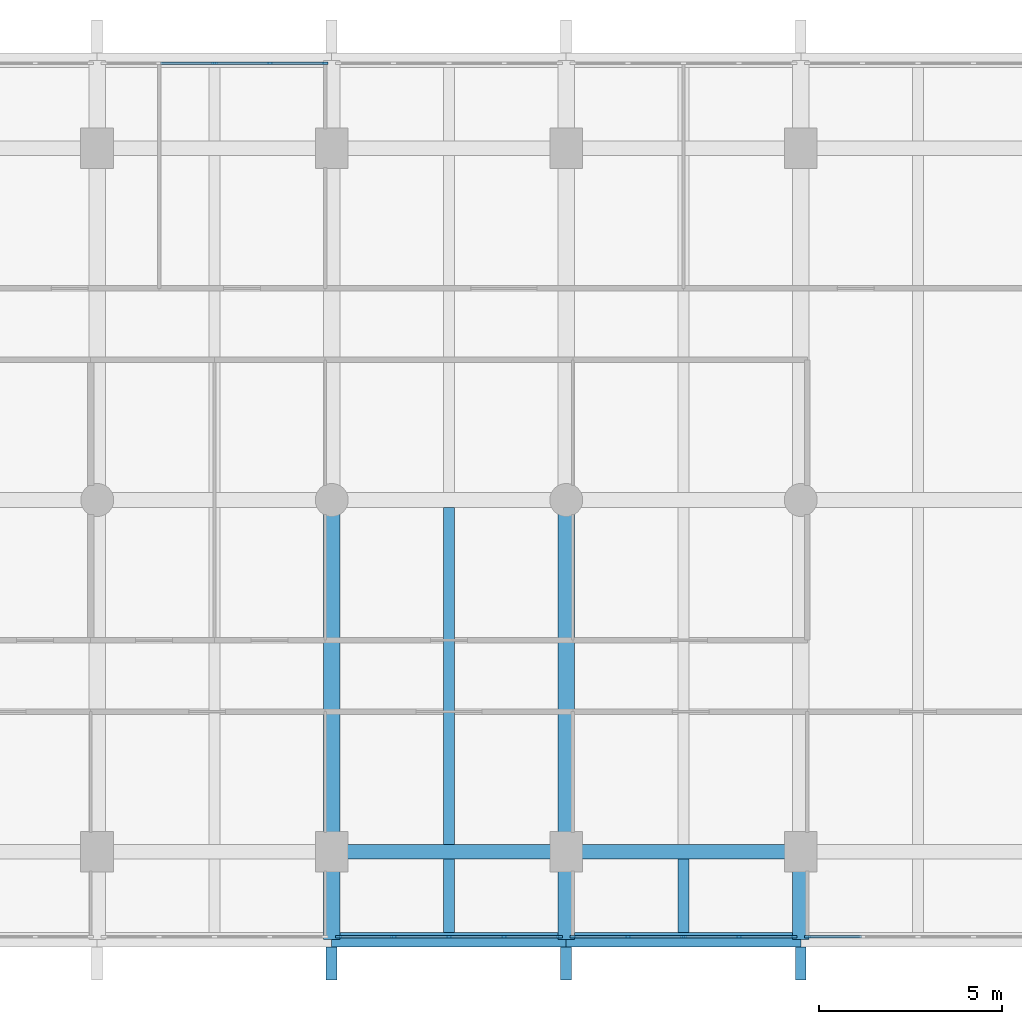
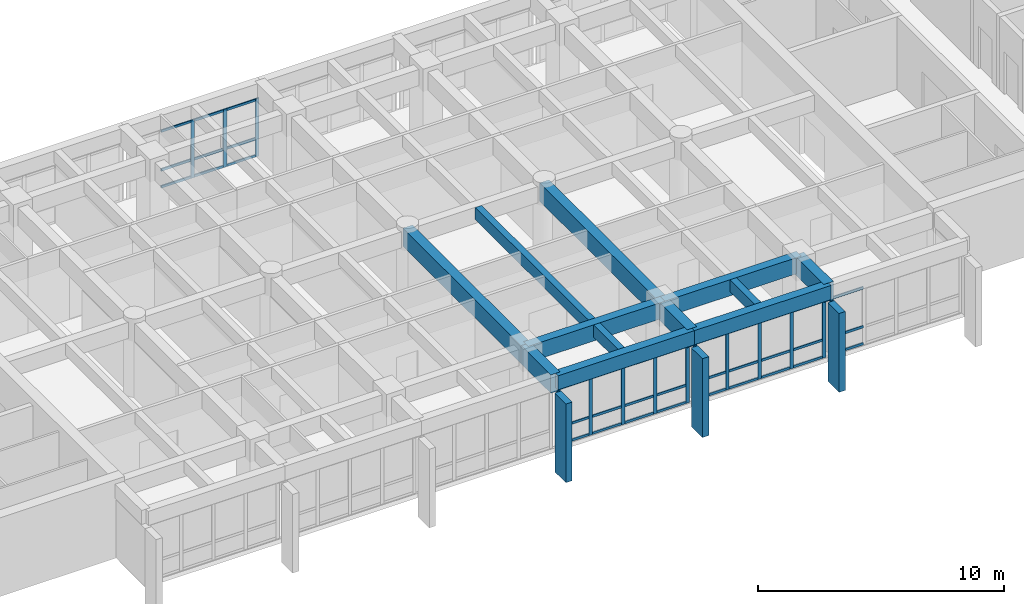
# One storey, part 4 of 15: 53 members, 12 beams, 4 elements without a shape of their own.
"""IFC4 building model written with IfcOpenShell, lengths in metres."""

import ifcopenshell
import ifcopenshell.guid

model = None  # the IFC model being written
_history = None  # IfcOwnerHistory: only IFC2X3 demands one
_inside = {}  # id of a spatial element -> (the spatial element, [elements in it])
_under = {}  # id of a project, library or spatial element -> (it, [spatial elements below it])
_declared = {}  # id of a project -> (the project, [libraries it declares])
_typed = {}  # id of a type object -> (the type object, [elements of that type])
_made_of = {}  # id of a material, layer set ... -> (it, [elements and type objects made of it])


def new_model(schema):
    """Start an empty IFC model of exactly this schema.

    Asked for "IFC4X3", IfcOpenShell would pick the latest addendum, in which some entities
    have other attributes; the version numbers below select the first issue.
    IFC2X3 requires an IfcOwnerHistory on every rooted entity: one is made here for all.
    """
    global model, _history
    if schema == "IFC4X3":
        model = ifcopenshell.file(schema_version=(4, 3, 0, 0))
    else:
        model = ifcopenshell.file(schema=schema)
    _inside.clear()
    _under.clear()
    _declared.clear()
    _typed.clear()
    _made_of.clear()
    _history = None
    if model.schema == "IFC2X3":
        org = make("IfcOrganization", Name="unknown")
        user = make(
            "IfcPersonAndOrganization",
            ThePerson=make("IfcPerson", FamilyName="unknown"),
            TheOrganization=org,
        )
        app = make(
            "IfcApplication",
            ApplicationDeveloper=org,
            Version="unknown",
            ApplicationFullName="unknown",
            ApplicationIdentifier="unknown",
        )
        _history = make(
            "IfcOwnerHistory",
            OwningUser=user,
            OwningApplication=app,
            ChangeAction="ADDED",
            CreationDate=0,
        )
    return model


def make(cls, **values):
    """One entity of the class cls with the attributes given. An attribute that is None is left unset."""
    return model.create_entity(
        cls, **{name: value for name, value in values.items() if value is not None}
    )


def rooted(cls, **values):
    """An entity with a GlobalId (a new one), such as an element, a storey or a relation."""
    return make(cls, GlobalId=ifcopenshell.guid.new(), OwnerHistory=_history, **values)


def si_unit(unit_type, name, prefix=None):
    """IfcSIUnit, for example si_unit("LENGTHUNIT", "METRE", prefix="MILLI")."""
    return make("IfcSIUnit", UnitType=unit_type, Prefix=prefix, Name=name)


def assignment(units):
    """IfcUnitAssignment: the units of a project."""
    return None if units is None else make("IfcUnitAssignment", Units=units)


def point(xyz):
    """IfcCartesianPoint."""
    return None if xyz is None else make("IfcCartesianPoint", Coordinates=xyz)


def direction(xyz):
    """IfcDirection."""
    return None if xyz is None else make("IfcDirection", DirectionRatios=xyz)


def frame(location, z_axis=None, x_axis=None):
    """IfcAxis2Placement3D, a coordinate frame: its origin and axes. An axis left out is left unset."""
    return make(
        "IfcAxis2Placement3D",
        Location=point(location),
        Axis=direction(z_axis),
        RefDirection=direction(x_axis),
    )


def frame_2d(location, x_axis=None):
    """IfcAxis2Placement2D, a coordinate frame in the plane: its origin and x axis."""
    return make(
        "IfcAxis2Placement2D", Location=point(location), RefDirection=direction(x_axis)
    )


def origin():
    """The frame at (0, 0, 0) with its axes left unset."""
    return frame((0.0, 0.0, 0.0))


def origin_2d():
    """The frame at (0, 0) in the plane with its x axis left unset."""
    return frame_2d((0.0, 0.0))


def place(relative_to, where):
    """IfcLocalPlacement: puts the frame where relative to a parent placement (None: the world)."""
    return make(
        "IfcLocalPlacement", PlacementRelTo=relative_to, RelativePlacement=where
    )


def context(
    kind, dimensions, precision=None, world=None, true_north=None, identifier=None
):
    """IfcGeometricRepresentationContext, for example the 3D "Model" context."""
    return make(
        "IfcGeometricRepresentationContext",
        ContextIdentifier=identifier,
        ContextType=kind,
        CoordinateSpaceDimension=dimensions,
        Precision=precision,
        WorldCoordinateSystem=world,
        TrueNorth=true_north,
    )


def subcontext(parent, identifier, kind, view, scale=None):
    """IfcGeometricRepresentationSubContext, for example "Body" below "Model"."""
    return make(
        "IfcGeometricRepresentationSubContext",
        ContextIdentifier=identifier,
        ContextType=kind,
        ParentContext=parent,
        TargetScale=scale,
        TargetView=view,
    )


def project(units=None, contexts=None):
    """IfcProject with its units and contexts."""
    return rooted(
        "IfcProject",
        Name="project",
        RepresentationContexts=contexts,
        UnitsInContext=assignment(units),
    )


def spatial(cls, under=None, at=None, **own):
    """A site, building, storey or space (cls), placed at a placement, below another one or the project."""
    s = rooted(cls, ObjectPlacement=at, **own)
    if under is not None:
        _under.setdefault(under.id(), (under, []))[1].append(s)
    return s


def profile(cls, at=None, kind="AREA", **sizes):
    """A parametric profile (cls). Its sizes go by their IFC names, for example OverallWidth=200.0."""
    return make(cls, ProfileType=kind, Position=at, **sizes)


def rectangle(**sizes):
    """IfcRectangleProfileDef."""
    return profile("IfcRectangleProfileDef", **sizes)


def extrude(swept, where, along, depth):
    """IfcExtrudedAreaSolid: the profile swept, set in the frame where, extruded along a direction by depth."""
    return make(
        "IfcExtrudedAreaSolid",
        SweptArea=swept,
        Position=where,
        ExtrudedDirection=direction(along),
        Depth=depth,
    )


def shape(context_of_items, identifier, shape_type, items):
    """IfcShapeRepresentation: the items that make up one representation, for example the "Body"."""
    return make(
        "IfcShapeRepresentation",
        ContextOfItems=context_of_items,
        RepresentationIdentifier=identifier,
        RepresentationType=shape_type,
        Items=items,
    )


def material(Name=None, Category=None):
    """IfcMaterial."""
    return make("IfcMaterial", Name=Name, Category=Category)


def layer(
    of_material, thickness, ventilated=None, Name=None, Category=None, Priority=None
):
    """IfcMaterialLayer: one layer of a wall or slab, of a material (None: an air gap)."""
    return make(
        "IfcMaterialLayer",
        Material=of_material,
        LayerThickness=thickness,
        IsVentilated=ventilated,
        Name=Name,
        Category=Category,
        Priority=Priority,
    )


def layer_set(layers, Name=None):
    """IfcMaterialLayerSet."""
    return make("IfcMaterialLayerSet", MaterialLayers=layers, LayerSetName=Name)


def material_profile(
    of_material, cross_section, Name=None, Category=None, Priority=None
):
    """IfcMaterialProfile: a cross section and its material."""
    return make(
        "IfcMaterialProfile",
        Name=Name,
        Material=of_material,
        Profile=cross_section,
        Priority=Priority,
        Category=Category,
    )


def profile_set(profiles, Name=None, composite=None):
    """IfcMaterialProfileSet."""
    return make(
        "IfcMaterialProfileSet",
        Name=Name,
        MaterialProfiles=profiles,
        CompositeProfile=composite,
    )


def made_of(thing, what):
    """Note that an element or type object is made of a material, layer set ...; save() writes the relation."""
    if what is not None:
        _made_of.setdefault(what.id(), (what, []))[1].append(thing)
    return thing


def type_object(cls, material=None, **own):
    """A type object (cls), such as IfcWallType, which elements share."""
    return made_of(rooted(cls, **own), material)


def element(
    cls,
    number,
    at=None,
    inside=None,
    cuts=None,
    type_object=None,
    material=None,
    context=None,
    identifier="Body",
    shape_type=None,
    held_by="IfcProductDefinitionShape",
    body=None,
    shapes=None,
    **own,
):
    """One element of the class cls, such as IfcWall. Its Tag is "e" and its number.

    at: its placement. inside: the storey or other place that contains it. cuts: it is an
    opening in that element (IfcRelVoidsElement). A single representation is given by context,
    identifier, shape_type and body (its items); several are given by shapes. held_by: the class
    of the entity that holds the representations. save() writes the other relations.
    """
    e = rooted(cls, Tag="e%d" % number, ObjectPlacement=at, **own)
    if body is not None:
        shapes = [shape(context, identifier, shape_type, body)]
    if shapes is not None:
        e.Representation = make(held_by, Representations=shapes)
    if inside is not None:
        _inside.setdefault(inside.id(), (inside, []))[1].append(e)
    if cuts is not None:
        rooted(
            "IfcRelVoidsElement", RelatingBuildingElement=cuts, RelatedOpeningElement=e
        )
    if type_object is not None:
        _typed.setdefault(type_object.id(), (type_object, []))[1].append(e)
    return made_of(e, material)


def aggregate(whole, parts):
    """IfcRelAggregates: a whole, such as a stair, and the parts it consists of."""
    return rooted("IfcRelAggregates", RelatingObject=whole, RelatedObjects=parts)


def save(model, path):
    """Write the relations noted so far, then the file.

    IfcRelAggregates (storeys below a building ...), IfcRelContainedInSpatialStructure (elements
    in a storey), IfcRelDefinesByType, IfcRelAssociatesMaterial and IfcRelDeclares: one each for
    every whole, place, type object, material and project.
    """
    for whole, parts in _under.values():
        aggregate(whole, parts)
    for where, things in _inside.values():
        rooted(
            "IfcRelContainedInSpatialStructure",
            RelatedElements=things,
            RelatingStructure=where,
        )
    for kind, things in _typed.values():
        rooted("IfcRelDefinesByType", RelatedObjects=things, RelatingType=kind)
    for what, things in _made_of.values():
        rooted("IfcRelAssociatesMaterial", RelatedObjects=things, RelatingMaterial=what)
    for by, libraries in _declared.values():
        rooted("IfcRelDeclares", RelatingContext=by, RelatedDefinitions=libraries)
    model.write(path)


model = new_model("IFC4")

# Units and contexts
model_context = context("Model", 3, precision=1e-05, world=origin(), true_north=direction((0.0, 1.0)))
body_context = subcontext(model_context, "Body", "Model", "MODEL_VIEW")
ifc_project = project(units=[si_unit("LENGTHUNIT", "METRE"), si_unit("AREAUNIT", "SQUARE_METRE"), si_unit("VOLUMEUNIT", "CUBIC_METRE"), si_unit("PLANEANGLEUNIT", "RADIAN"), si_unit("MASSUNIT", "GRAM", prefix="KILO")], contexts=[model_context])

# Site, building, storey
site_placement = place(None, origin())
site = spatial("IfcSite", under=ifc_project, at=site_placement, CompositionType="ELEMENT")
building_placement = place(site_placement, origin())
building = spatial("IfcBuilding", under=site, at=building_placement, Name="Fogon Plaza Fire Station and Headquarters Tower", CompositionType="ELEMENT")
storey_placement = place(building_placement, frame((0.0, 0.0, 48.300048828125)))
storey = spatial("IfcBuildingStorey", under=building, at=storey_placement, Name="L12", CompositionType="ELEMENT", Elevation=48.300048828125)

# Beams
ifc_material_1 = material(Name="Concrete C40", Category="concrete")
ifc_material_profile_1 = material_profile(ifc_material_1, rectangle(XDim=0.39990234375, YDim=0.699951171875, at=origin_2d()), Name="RC 400x700")
ifc_profile_set_1 = profile_set([ifc_material_profile_1], Name="Concrete C40")
beam_type_1 = type_object("IfcBeamType", Name="BEAM RC 400x700", PredefinedType="BEAM", material=ifc_profile_set_1)
beam_1_placement = place(storey_placement, frame((44.800048828125, 31.199951171875, 3.329833984375), z_axis=(1.0, 0.0, 0.0), x_axis=(0.0, 1.0, 0.0)))
element("IfcBeam", 1, at=beam_1_placement, inside=storey, type_object=beam_type_1, Name="beam-L12-042", PredefinedType="BEAM", context=body_context, shape_type="SweptSolid", body=[
    extrude(rectangle(XDim=0.39990234375, YDim=0.699951171875, at=origin_2d()), origin(), (0.0, 0.0, 1.0), 6.39990234375),
])
beam_2_placement = place(storey_placement, frame((51.199951171875, 31.199951171875, 3.329833984375), z_axis=(1.0, 0.0, 0.0), x_axis=(0.0, 1.0, 0.0)))
element("IfcBeam", 2, at=beam_2_placement, inside=storey, type_object=beam_type_1, Name="beam-L12-043", PredefinedType="BEAM", context=body_context, shape_type="SweptSolid", body=[
    extrude(rectangle(XDim=0.39990234375, YDim=0.699951171875, at=origin_2d()), origin(), (0.0, 0.0, 1.0), 6.400146484375),
])
ifc_material_2 = material(Name="Concrete C40", Category="concrete")
ifc_material_profile_2 = material_profile(ifc_material_2, rectangle(XDim=0.39990234375, YDim=0.800048828125, at=origin_2d()), Name="RC 400x800")
ifc_profile_set_2 = profile_set([ifc_material_profile_2], Name="Concrete C40")
beam_type_2 = type_object("IfcBeamType", Name="BEAM RC 400x800", PredefinedType="BEAM", material=ifc_profile_set_2)
beam_3_placement = place(storey_placement, frame((44.800048828125, 33.60009765625, 3.280029296875), z_axis=(1.0, 0.0, 0.0), x_axis=(0.0, 1.0, 0.0)))
element("IfcBeam", 3, at=beam_3_placement, inside=storey, type_object=beam_type_2, Name="beam-L12-024", PredefinedType="BEAM", context=body_context, shape_type="SweptSolid", body=[
    extrude(rectangle(XDim=0.39990234375, YDim=0.800048828125, at=origin_2d()), origin(), (0.0, 0.0, 1.0), 6.39990234375),
])
beam_4_placement = place(storey_placement, frame((51.199951171875, 33.60009765625, 3.280029296875), z_axis=(1.0, 0.0, 0.0), x_axis=(0.0, 1.0, 0.0)))
element("IfcBeam", 4, at=beam_4_placement, inside=storey, type_object=beam_type_2, Name="beam-L12-025", PredefinedType="BEAM", context=body_context, shape_type="SweptSolid", body=[
    extrude(rectangle(XDim=0.39990234375, YDim=0.800048828125, at=origin_2d()), origin(), (0.0, 0.0, 1.0), 6.400146484375),
])
ifc_material_3 = material(Name="Concrete C40", Category="concrete")
ifc_material_profile_3 = material_profile(ifc_material_3, rectangle(XDim=0.449951171875, YDim=0.89990234375, at=origin_2d()), Name="RC 450x900")
ifc_profile_set_3 = profile_set([ifc_material_profile_3], Name="Concrete C40")
beam_type_3 = type_object("IfcBeamType", Name="BEAM RC 450x900", PredefinedType="BEAM", material=ifc_profile_set_3)
for number, where, z_axis, x_axis, name in (
    (5, (44.800048828125, 33.60009765625, 3.22998046875), (0.0, 1.0, 0.0), (-1.0, 0.0, 0.0), "beam-L12-010"),
    (6, (51.199951171875, 33.60009765625, 3.22998046875), (0.0, 1.0, 0.0), (-1.0, 0.0, 0.0), "beam-L12-014"),
):
    element("IfcBeam", number, at=place(storey_placement, frame(where, z_axis=z_axis, x_axis=x_axis)), inside=storey, type_object=beam_type_3, Name=name, PredefinedType="BEAM", context=body_context, shape_type="SweptSolid", body=[
        extrude(rectangle(XDim=0.449951171875, YDim=0.89990234375, at=origin_2d()), origin(), (0.0, 0.0, 1.0), 9.599853515625),
    ])
ifc_material_4 = material(Name="Concrete C40", Category="concrete")
ifc_material_profile_4 = material_profile(ifc_material_4, rectangle(XDim=0.449951171875, YDim=0.89990234375, at=origin_2d()), Name="RC 450x900")
ifc_profile_set_4 = profile_set([ifc_material_profile_4], Name="Concrete C40")
beam_type_4 = type_object("IfcBeamType", Name="BEAM RC 450x900 SPAN 0.0 TO 3.0 M", PredefinedType="BEAM", material=ifc_profile_set_4)
for number, where, z_axis, x_axis, name in (
    (7, (44.800048828125, 31.199951171875, 3.22998046875), (0.0, 1.0, 0.0), (-1.0, 0.0, 0.0), "beam-L12-009"),
    (8, (51.199951171875, 31.199951171875, 3.22998046875), (0.0, 1.0, 0.0), (-1.0, 0.0, 0.0), "beam-L12-013"),
    (9, (57.60009765625, 31.199951171875, 3.22998046875), (0.0, 1.0, 0.0), (-1.0, 0.0, 0.0), "beam-L12-017"),
):
    element("IfcBeam", number, at=place(storey_placement, frame(where, z_axis=z_axis, x_axis=x_axis)), inside=storey, type_object=beam_type_4, Name=name, PredefinedType="BEAM", context=body_context, shape_type="SweptSolid", body=[
        extrude(rectangle(XDim=0.449951171875, YDim=0.89990234375, at=origin_2d()), origin(), (0.0, 0.0, 1.0), 2.400146484375),
    ])

# Curtain wall, members
ifc_material_5 = material(Name="Aluminium and glass", Category="aluminium")
ifc_layer = layer(ifc_material_5, 0.14990234375)
ifc_layer_set = layer_set([ifc_layer], Name="Aluminium and glass")
curtain_wall_type = type_object("IfcCurtainWallType", Name="Unitised Curtain Wall Run 6100x2880", PredefinedType="NOTDEFINED", material=ifc_layer_set)
curtain_wall_1_placement = place(storey_placement, origin())
curtain_wall_1 = element("IfcCurtainWall", 10, at=curtain_wall_1_placement, inside=storey, type_object=curtain_wall_type, Name="CW-6100x2880 S4 L12", PredefinedType="NOTDEFINED")
ifc_material_6 = material(Name="Aluminium", Category="aluminium")
ifc_material_profile_5 = material_profile(ifc_material_6, rectangle(XDim=0.06005859375, YDim=0.159912109375, at=origin_2d()), Name="Curtain Wall Mullion 60x160")
ifc_profile_set_5 = profile_set([ifc_material_profile_5], Name="Aluminium")
member_type_1 = type_object("IfcMemberType", Name="Curtain Wall Mullion 60x160", PredefinedType="MULLION", material=ifc_profile_set_5)
member_1_placement = place(storey_placement, frame((44.97998046875, 31.280029296875, 0.0), z_axis=(0.0, 0.0, 1.0), x_axis=(0.0, 1.0, 0.0)))
member_1 = element("IfcMember", 11, at=member_1_placement, type_object=member_type_1, Name="CW-6100x2880 mullion 1", PredefinedType="MULLION", context=body_context, shape_type="SweptSolid", body=[
    extrude(rectangle(XDim=0.06005859375, YDim=0.159912109375, at=origin_2d()), origin(), (0.0, 0.0, 1.0), 2.8798828125),
])
member_2_placement = place(storey_placement, frame((46.489990234375, 31.280029296875, 0.0), z_axis=(0.0, 0.0, 1.0), x_axis=(0.0, 1.0, 0.0)))
member_2 = element("IfcMember", 12, at=member_2_placement, type_object=member_type_1, Name="CW-6100x2880 mullion 2", PredefinedType="MULLION", context=body_context, shape_type="SweptSolid", body=[
    extrude(rectangle(XDim=0.06005859375, YDim=0.159912109375, at=origin_2d()), origin(), (0.0, 0.0, 1.0), 2.8798828125),
])
member_3_placement = place(storey_placement, frame((48.0, 31.280029296875, 0.0), z_axis=(0.0, 0.0, 1.0), x_axis=(0.0, 1.0, 0.0)))
member_3 = element("IfcMember", 13, at=member_3_placement, type_object=member_type_1, Name="CW-6100x2880 mullion 3", PredefinedType="MULLION", context=body_context, shape_type="SweptSolid", body=[
    extrude(rectangle(XDim=0.06005859375, YDim=0.159912109375, at=origin_2d()), origin(), (0.0, 0.0, 1.0), 2.8798828125),
])
member_4_placement = place(storey_placement, frame((49.510009765625, 31.280029296875, 0.0), z_axis=(0.0, 0.0, 1.0), x_axis=(0.0, 1.0, 0.0)))
member_4 = element("IfcMember", 14, at=member_4_placement, type_object=member_type_1, Name="CW-6100x2880 mullion 4", PredefinedType="MULLION", context=body_context, shape_type="SweptSolid", body=[
    extrude(rectangle(XDim=0.06005859375, YDim=0.159912109375, at=origin_2d()), origin(), (0.0, 0.0, 1.0), 2.8798828125),
])
member_5_placement = place(storey_placement, frame((51.02001953125, 31.280029296875, 0.0), z_axis=(0.0, 0.0, 1.0), x_axis=(0.0, 1.0, 0.0)))
member_5 = element("IfcMember", 15, at=member_5_placement, type_object=member_type_1, Name="CW-6100x2880 mullion 5", PredefinedType="MULLION", context=body_context, shape_type="SweptSolid", body=[
    extrude(rectangle(XDim=0.06005859375, YDim=0.159912109375, at=origin_2d()), origin(), (0.0, 0.0, 1.0), 2.8798828125),
])

curtain_wall_2_placement = place(storey_placement, origin())
curtain_wall_2 = element("IfcCurtainWall", 16, at=curtain_wall_2_placement, inside=storey, type_object=curtain_wall_type, Name="CW-6100x2880 S5 L12", PredefinedType="NOTDEFINED")
member_6_placement = place(storey_placement, frame((51.3798828125, 31.280029296875, 0.0), z_axis=(0.0, 0.0, 1.0), x_axis=(0.0, 1.0, 0.0)))
member_6 = element("IfcMember", 17, at=member_6_placement, type_object=member_type_1, Name="CW-6100x2880 mullion 1", PredefinedType="MULLION", context=body_context, shape_type="SweptSolid", body=[
    extrude(rectangle(XDim=0.06005859375, YDim=0.159912109375, at=origin_2d()), origin(), (0.0, 0.0, 1.0), 2.8798828125),
])
member_7_placement = place(storey_placement, frame((52.889892578125, 31.280029296875, 0.0), z_axis=(0.0, 0.0, 1.0), x_axis=(0.0, 1.0, 0.0)))
member_7 = element("IfcMember", 18, at=member_7_placement, type_object=member_type_1, Name="CW-6100x2880 mullion 2", PredefinedType="MULLION", context=body_context, shape_type="SweptSolid", body=[
    extrude(rectangle(XDim=0.06005859375, YDim=0.159912109375, at=origin_2d()), origin(), (0.0, 0.0, 1.0), 2.8798828125),
])
member_8_placement = place(storey_placement, frame((54.39990234375, 31.280029296875, 0.0), z_axis=(0.0, 0.0, 1.0), x_axis=(0.0, 1.0, 0.0)))
member_8 = element("IfcMember", 19, at=member_8_placement, type_object=member_type_1, Name="CW-6100x2880 mullion 3", PredefinedType="MULLION", context=body_context, shape_type="SweptSolid", body=[
    extrude(rectangle(XDim=0.06005859375, YDim=0.159912109375, at=origin_2d()), origin(), (0.0, 0.0, 1.0), 2.8798828125),
])
member_9_placement = place(storey_placement, frame((55.909912109375, 31.280029296875, 0.0), z_axis=(0.0, 0.0, 1.0), x_axis=(0.0, 1.0, 0.0)))
member_9 = element("IfcMember", 20, at=member_9_placement, type_object=member_type_1, Name="CW-6100x2880 mullion 4", PredefinedType="MULLION", context=body_context, shape_type="SweptSolid", body=[
    extrude(rectangle(XDim=0.06005859375, YDim=0.159912109375, at=origin_2d()), origin(), (0.0, 0.0, 1.0), 2.8798828125),
])
member_10_placement = place(storey_placement, frame((57.419921875, 31.280029296875, 0.0), z_axis=(0.0, 0.0, 1.0), x_axis=(0.0, 1.0, 0.0)))
member_10 = element("IfcMember", 21, at=member_10_placement, type_object=member_type_1, Name="CW-6100x2880 mullion 5", PredefinedType="MULLION", context=body_context, shape_type="SweptSolid", body=[
    extrude(rectangle(XDim=0.06005859375, YDim=0.159912109375, at=origin_2d()), origin(), (0.0, 0.0, 1.0), 2.8798828125),
])

# Curtain wall, member
curtain_wall_3_placement = place(storey_placement, origin())
curtain_wall_3 = element("IfcCurtainWall", 22, at=curtain_wall_3_placement, inside=storey, type_object=curtain_wall_type, Name="CW-6100x2880 S6 L12", PredefinedType="NOTDEFINED")
member_11_placement = place(storey_placement, frame((57.780029296875, 31.280029296875, 0.0), z_axis=(0.0, 0.0, 1.0), x_axis=(0.0, 1.0, 0.0)))
member_11 = element("IfcMember", 23, at=member_11_placement, type_object=member_type_1, Name="CW-6100x2880 mullion 1", PredefinedType="MULLION", context=body_context, shape_type="SweptSolid", body=[
    extrude(rectangle(XDim=0.06005859375, YDim=0.159912109375, at=origin_2d()), origin(), (0.0, 0.0, 1.0), 2.8798828125),
])

# Curtain wall, members
curtain_wall_4_placement = place(storey_placement, origin())
curtain_wall_4 = element("IfcCurtainWall", 24, at=curtain_wall_4_placement, inside=storey, type_object=curtain_wall_type, Name="CW-6100x2880 N3 L12", PredefinedType="NOTDEFINED")
member_12_placement = place(storey_placement, frame((41.60009765625, 55.1201171875, 0.0), z_axis=(0.0, 0.0, 1.0), x_axis=(0.0, 1.0, 0.0)))
member_12 = element("IfcMember", 25, at=member_12_placement, type_object=member_type_1, Name="CW-6100x2880 mullion 3", PredefinedType="MULLION", context=body_context, shape_type="SweptSolid", body=[
    extrude(rectangle(XDim=0.06005859375, YDim=0.159912109375, at=origin_2d()), origin(), (0.0, 0.0, 1.0), 2.8798828125),
])
member_13_placement = place(storey_placement, frame((43.110107421875, 55.1201171875, 0.0), z_axis=(0.0, 0.0, 1.0), x_axis=(0.0, 1.0, 0.0)))
member_13 = element("IfcMember", 26, at=member_13_placement, type_object=member_type_1, Name="CW-6100x2880 mullion 4", PredefinedType="MULLION", context=body_context, shape_type="SweptSolid", body=[
    extrude(rectangle(XDim=0.06005859375, YDim=0.159912109375, at=origin_2d()), origin(), (0.0, 0.0, 1.0), 2.8798828125),
])
member_14_placement = place(storey_placement, frame((44.6201171875, 55.1201171875, 0.0), z_axis=(0.0, 0.0, 1.0), x_axis=(0.0, 1.0, 0.0)))
member_14 = element("IfcMember", 27, at=member_14_placement, type_object=member_type_1, Name="CW-6100x2880 mullion 5", PredefinedType="MULLION", context=body_context, shape_type="SweptSolid", body=[
    extrude(rectangle(XDim=0.06005859375, YDim=0.159912109375, at=origin_2d()), origin(), (0.0, 0.0, 1.0), 2.8798828125),
])

# Member
ifc_material_7 = material(Name="Aluminium", Category="aluminium")
ifc_material_profile_6 = material_profile(ifc_material_7, rectangle(XDim=0.06005859375, YDim=0.1201171875, at=origin_2d()), Name="Curtain Wall Transom 60x120")
ifc_profile_set_6 = profile_set([ifc_material_profile_6], Name="Aluminium")
member_type_2 = type_object("IfcMemberType", Name="Curtain Wall Transom 60x120", PredefinedType="USERDEFINED", material=ifc_profile_set_6)
member_15_placement = place(storey_placement, frame((45.010009765625, 31.280029296875, 0.06005859375), z_axis=(1.0, 0.0, 0.0), x_axis=(0.0, 1.0, 0.0)))
member_15 = element("IfcMember", 28, at=member_15_placement, type_object=member_type_2, Name="CW-6100x2880 transom 1.1", ObjectType="TRANSOM", PredefinedType="USERDEFINED", context=body_context, shape_type="SweptSolid", body=[
    extrude(rectangle(XDim=0.06005859375, YDim=0.1201171875, at=origin_2d()), origin(), (0.0, 0.0, 1.0), 1.449951171875),
])

member_16_placement = place(storey_placement, frame((45.010009765625, 31.280029296875, 0.89990234375), z_axis=(1.0, 0.0, 0.0), x_axis=(0.0, 1.0, 0.0)))
member_16 = element("IfcMember", 29, at=member_16_placement, type_object=member_type_2, Name="CW-6100x2880 transom 1.2", ObjectType="TRANSOM", PredefinedType="USERDEFINED", context=body_context, shape_type="SweptSolid", body=[
    extrude(rectangle(XDim=0.06005859375, YDim=0.1201171875, at=origin_2d()), origin(), (0.0, 0.0, 1.0), 1.449951171875),
])

member_17_placement = place(storey_placement, frame((45.010009765625, 31.280029296875, 2.820068359375), z_axis=(1.0, 0.0, 0.0), x_axis=(0.0, 1.0, 0.0)))
member_17 = element("IfcMember", 30, at=member_17_placement, type_object=member_type_2, Name="CW-6100x2880 transom 1.3", ObjectType="TRANSOM", PredefinedType="USERDEFINED", context=body_context, shape_type="SweptSolid", body=[
    extrude(rectangle(XDim=0.06005859375, YDim=0.1201171875, at=origin_2d()), origin(), (0.0, 0.0, 1.0), 1.449951171875),
])

member_18_placement = place(storey_placement, frame((46.52001953125, 31.280029296875, 0.06005859375), z_axis=(1.0, 0.0, 0.0), x_axis=(0.0, 1.0, 0.0)))
member_18 = element("IfcMember", 31, at=member_18_placement, type_object=member_type_2, Name="CW-6100x2880 transom 2.1", ObjectType="TRANSOM", PredefinedType="USERDEFINED", context=body_context, shape_type="SweptSolid", body=[
    extrude(rectangle(XDim=0.06005859375, YDim=0.1201171875, at=origin_2d()), origin(), (0.0, 0.0, 1.0), 1.449951171875),
])

member_19_placement = place(storey_placement, frame((46.52001953125, 31.280029296875, 0.89990234375), z_axis=(1.0, 0.0, 0.0), x_axis=(0.0, 1.0, 0.0)))
member_19 = element("IfcMember", 32, at=member_19_placement, type_object=member_type_2, Name="CW-6100x2880 transom 2.2", ObjectType="TRANSOM", PredefinedType="USERDEFINED", context=body_context, shape_type="SweptSolid", body=[
    extrude(rectangle(XDim=0.06005859375, YDim=0.1201171875, at=origin_2d()), origin(), (0.0, 0.0, 1.0), 1.449951171875),
])

member_20_placement = place(storey_placement, frame((46.52001953125, 31.280029296875, 2.820068359375), z_axis=(1.0, 0.0, 0.0), x_axis=(0.0, 1.0, 0.0)))
member_20 = element("IfcMember", 33, at=member_20_placement, type_object=member_type_2, Name="CW-6100x2880 transom 2.3", ObjectType="TRANSOM", PredefinedType="USERDEFINED", context=body_context, shape_type="SweptSolid", body=[
    extrude(rectangle(XDim=0.06005859375, YDim=0.1201171875, at=origin_2d()), origin(), (0.0, 0.0, 1.0), 1.449951171875),
])

member_21_placement = place(storey_placement, frame((48.030029296875, 31.280029296875, 0.06005859375), z_axis=(1.0, 0.0, 0.0), x_axis=(0.0, 1.0, 0.0)))
member_21 = element("IfcMember", 34, at=member_21_placement, type_object=member_type_2, Name="CW-6100x2880 transom 3.1", ObjectType="TRANSOM", PredefinedType="USERDEFINED", context=body_context, shape_type="SweptSolid", body=[
    extrude(rectangle(XDim=0.06005859375, YDim=0.1201171875, at=origin_2d()), origin(), (0.0, 0.0, 1.0), 1.449951171875),
])

member_22_placement = place(storey_placement, frame((48.030029296875, 31.280029296875, 0.89990234375), z_axis=(1.0, 0.0, 0.0), x_axis=(0.0, 1.0, 0.0)))
member_22 = element("IfcMember", 35, at=member_22_placement, type_object=member_type_2, Name="CW-6100x2880 transom 3.2", ObjectType="TRANSOM", PredefinedType="USERDEFINED", context=body_context, shape_type="SweptSolid", body=[
    extrude(rectangle(XDim=0.06005859375, YDim=0.1201171875, at=origin_2d()), origin(), (0.0, 0.0, 1.0), 1.449951171875),
])

member_23_placement = place(storey_placement, frame((48.030029296875, 31.280029296875, 2.820068359375), z_axis=(1.0, 0.0, 0.0), x_axis=(0.0, 1.0, 0.0)))
member_23 = element("IfcMember", 36, at=member_23_placement, type_object=member_type_2, Name="CW-6100x2880 transom 3.3", ObjectType="TRANSOM", PredefinedType="USERDEFINED", context=body_context, shape_type="SweptSolid", body=[
    extrude(rectangle(XDim=0.06005859375, YDim=0.1201171875, at=origin_2d()), origin(), (0.0, 0.0, 1.0), 1.449951171875),
])

member_24_placement = place(storey_placement, frame((49.5400390625, 31.280029296875, 0.06005859375), z_axis=(1.0, 0.0, 0.0), x_axis=(0.0, 1.0, 0.0)))
member_24 = element("IfcMember", 37, at=member_24_placement, type_object=member_type_2, Name="CW-6100x2880 transom 4.1", ObjectType="TRANSOM", PredefinedType="USERDEFINED", context=body_context, shape_type="SweptSolid", body=[
    extrude(rectangle(XDim=0.06005859375, YDim=0.1201171875, at=origin_2d()), origin(), (0.0, 0.0, 1.0), 1.449951171875),
])

member_25_placement = place(storey_placement, frame((49.5400390625, 31.280029296875, 0.89990234375), z_axis=(1.0, 0.0, 0.0), x_axis=(0.0, 1.0, 0.0)))
member_25 = element("IfcMember", 38, at=member_25_placement, type_object=member_type_2, Name="CW-6100x2880 transom 4.2", ObjectType="TRANSOM", PredefinedType="USERDEFINED", context=body_context, shape_type="SweptSolid", body=[
    extrude(rectangle(XDim=0.06005859375, YDim=0.1201171875, at=origin_2d()), origin(), (0.0, 0.0, 1.0), 1.449951171875),
])

member_26_placement = place(storey_placement, frame((49.5400390625, 31.280029296875, 2.820068359375), z_axis=(1.0, 0.0, 0.0), x_axis=(0.0, 1.0, 0.0)))
member_26 = element("IfcMember", 39, at=member_26_placement, type_object=member_type_2, Name="CW-6100x2880 transom 4.3", ObjectType="TRANSOM", PredefinedType="USERDEFINED", context=body_context, shape_type="SweptSolid", body=[
    extrude(rectangle(XDim=0.06005859375, YDim=0.1201171875, at=origin_2d()), origin(), (0.0, 0.0, 1.0), 1.449951171875),
])

aggregate(curtain_wall_1, [member_1, member_2, member_3, member_4, member_5, member_15, member_16, member_17, member_18, member_19, member_20, member_21, member_22, member_23, member_24, member_25, member_26])

member_27_placement = place(storey_placement, frame((51.409912109375, 31.280029296875, 0.06005859375), z_axis=(1.0, 0.0, 0.0), x_axis=(0.0, 1.0, 0.0)))
member_27 = element("IfcMember", 40, at=member_27_placement, type_object=member_type_2, Name="CW-6100x2880 transom 1.1", ObjectType="TRANSOM", PredefinedType="USERDEFINED", context=body_context, shape_type="SweptSolid", body=[
    extrude(rectangle(XDim=0.06005859375, YDim=0.1201171875, at=origin_2d()), origin(), (0.0, 0.0, 1.0), 1.4501953125),
])

member_28_placement = place(storey_placement, frame((51.409912109375, 31.280029296875, 0.89990234375), z_axis=(1.0, 0.0, 0.0), x_axis=(0.0, 1.0, 0.0)))
member_28 = element("IfcMember", 41, at=member_28_placement, type_object=member_type_2, Name="CW-6100x2880 transom 1.2", ObjectType="TRANSOM", PredefinedType="USERDEFINED", context=body_context, shape_type="SweptSolid", body=[
    extrude(rectangle(XDim=0.06005859375, YDim=0.1201171875, at=origin_2d()), origin(), (0.0, 0.0, 1.0), 1.4501953125),
])

member_29_placement = place(storey_placement, frame((51.409912109375, 31.280029296875, 2.820068359375), z_axis=(1.0, 0.0, 0.0), x_axis=(0.0, 1.0, 0.0)))
member_29 = element("IfcMember", 42, at=member_29_placement, type_object=member_type_2, Name="CW-6100x2880 transom 1.3", ObjectType="TRANSOM", PredefinedType="USERDEFINED", context=body_context, shape_type="SweptSolid", body=[
    extrude(rectangle(XDim=0.06005859375, YDim=0.1201171875, at=origin_2d()), origin(), (0.0, 0.0, 1.0), 1.4501953125),
])

member_30_placement = place(storey_placement, frame((52.919921875, 31.280029296875, 0.06005859375), z_axis=(1.0, 0.0, 0.0), x_axis=(0.0, 1.0, 0.0)))
member_30 = element("IfcMember", 43, at=member_30_placement, type_object=member_type_2, Name="CW-6100x2880 transom 2.1", ObjectType="TRANSOM", PredefinedType="USERDEFINED", context=body_context, shape_type="SweptSolid", body=[
    extrude(rectangle(XDim=0.06005859375, YDim=0.1201171875, at=origin_2d()), origin(), (0.0, 0.0, 1.0), 1.4501953125),
])

member_31_placement = place(storey_placement, frame((52.919921875, 31.280029296875, 0.89990234375), z_axis=(1.0, 0.0, 0.0), x_axis=(0.0, 1.0, 0.0)))
member_31 = element("IfcMember", 44, at=member_31_placement, type_object=member_type_2, Name="CW-6100x2880 transom 2.2", ObjectType="TRANSOM", PredefinedType="USERDEFINED", context=body_context, shape_type="SweptSolid", body=[
    extrude(rectangle(XDim=0.06005859375, YDim=0.1201171875, at=origin_2d()), origin(), (0.0, 0.0, 1.0), 1.4501953125),
])

member_32_placement = place(storey_placement, frame((52.919921875, 31.280029296875, 2.820068359375), z_axis=(1.0, 0.0, 0.0), x_axis=(0.0, 1.0, 0.0)))
member_32 = element("IfcMember", 45, at=member_32_placement, type_object=member_type_2, Name="CW-6100x2880 transom 2.3", ObjectType="TRANSOM", PredefinedType="USERDEFINED", context=body_context, shape_type="SweptSolid", body=[
    extrude(rectangle(XDim=0.06005859375, YDim=0.1201171875, at=origin_2d()), origin(), (0.0, 0.0, 1.0), 1.4501953125),
])

member_33_placement = place(storey_placement, frame((54.429931640625, 31.280029296875, 0.06005859375), z_axis=(1.0, 0.0, 0.0), x_axis=(0.0, 1.0, 0.0)))
member_33 = element("IfcMember", 46, at=member_33_placement, type_object=member_type_2, Name="CW-6100x2880 transom 3.1", ObjectType="TRANSOM", PredefinedType="USERDEFINED", context=body_context, shape_type="SweptSolid", body=[
    extrude(rectangle(XDim=0.06005859375, YDim=0.1201171875, at=origin_2d()), origin(), (0.0, 0.0, 1.0), 1.449951171875),
])

member_34_placement = place(storey_placement, frame((54.429931640625, 31.280029296875, 0.89990234375), z_axis=(1.0, 0.0, 0.0), x_axis=(0.0, 1.0, 0.0)))
member_34 = element("IfcMember", 47, at=member_34_placement, type_object=member_type_2, Name="CW-6100x2880 transom 3.2", ObjectType="TRANSOM", PredefinedType="USERDEFINED", context=body_context, shape_type="SweptSolid", body=[
    extrude(rectangle(XDim=0.06005859375, YDim=0.1201171875, at=origin_2d()), origin(), (0.0, 0.0, 1.0), 1.449951171875),
])

member_35_placement = place(storey_placement, frame((54.429931640625, 31.280029296875, 2.820068359375), z_axis=(1.0, 0.0, 0.0), x_axis=(0.0, 1.0, 0.0)))
member_35 = element("IfcMember", 48, at=member_35_placement, type_object=member_type_2, Name="CW-6100x2880 transom 3.3", ObjectType="TRANSOM", PredefinedType="USERDEFINED", context=body_context, shape_type="SweptSolid", body=[
    extrude(rectangle(XDim=0.06005859375, YDim=0.1201171875, at=origin_2d()), origin(), (0.0, 0.0, 1.0), 1.449951171875),
])

member_36_placement = place(storey_placement, frame((55.93994140625, 31.280029296875, 0.06005859375), z_axis=(1.0, 0.0, 0.0), x_axis=(0.0, 1.0, 0.0)))
member_36 = element("IfcMember", 49, at=member_36_placement, type_object=member_type_2, Name="CW-6100x2880 transom 4.1", ObjectType="TRANSOM", PredefinedType="USERDEFINED", context=body_context, shape_type="SweptSolid", body=[
    extrude(rectangle(XDim=0.06005859375, YDim=0.1201171875, at=origin_2d()), origin(), (0.0, 0.0, 1.0), 1.449951171875),
])

member_37_placement = place(storey_placement, frame((55.93994140625, 31.280029296875, 0.89990234375), z_axis=(1.0, 0.0, 0.0), x_axis=(0.0, 1.0, 0.0)))
member_37 = element("IfcMember", 50, at=member_37_placement, type_object=member_type_2, Name="CW-6100x2880 transom 4.2", ObjectType="TRANSOM", PredefinedType="USERDEFINED", context=body_context, shape_type="SweptSolid", body=[
    extrude(rectangle(XDim=0.06005859375, YDim=0.1201171875, at=origin_2d()), origin(), (0.0, 0.0, 1.0), 1.449951171875),
])

member_38_placement = place(storey_placement, frame((55.93994140625, 31.280029296875, 2.820068359375), z_axis=(1.0, 0.0, 0.0), x_axis=(0.0, 1.0, 0.0)))
member_38 = element("IfcMember", 51, at=member_38_placement, type_object=member_type_2, Name="CW-6100x2880 transom 4.3", ObjectType="TRANSOM", PredefinedType="USERDEFINED", context=body_context, shape_type="SweptSolid", body=[
    extrude(rectangle(XDim=0.06005859375, YDim=0.1201171875, at=origin_2d()), origin(), (0.0, 0.0, 1.0), 1.449951171875),
])

aggregate(curtain_wall_2, [member_6, member_7, member_8, member_9, member_10, member_27, member_28, member_29, member_30, member_31, member_32, member_33, member_34, member_35, member_36, member_37, member_38])

member_39_placement = place(storey_placement, frame((57.81005859375, 31.280029296875, 0.06005859375), z_axis=(1.0, 0.0, 0.0), x_axis=(0.0, 1.0, 0.0)))
member_39 = element("IfcMember", 52, at=member_39_placement, type_object=member_type_2, Name="CW-6100x2880 transom 1.1", ObjectType="TRANSOM", PredefinedType="USERDEFINED", context=body_context, shape_type="SweptSolid", body=[
    extrude(rectangle(XDim=0.06005859375, YDim=0.1201171875, at=origin_2d()), origin(), (0.0, 0.0, 1.0), 1.449951171875),
])

member_40_placement = place(storey_placement, frame((57.81005859375, 31.280029296875, 0.89990234375), z_axis=(1.0, 0.0, 0.0), x_axis=(0.0, 1.0, 0.0)))
member_40 = element("IfcMember", 53, at=member_40_placement, type_object=member_type_2, Name="CW-6100x2880 transom 1.2", ObjectType="TRANSOM", PredefinedType="USERDEFINED", context=body_context, shape_type="SweptSolid", body=[
    extrude(rectangle(XDim=0.06005859375, YDim=0.1201171875, at=origin_2d()), origin(), (0.0, 0.0, 1.0), 1.449951171875),
])

member_41_placement = place(storey_placement, frame((57.81005859375, 31.280029296875, 2.820068359375), z_axis=(1.0, 0.0, 0.0), x_axis=(0.0, 1.0, 0.0)))
member_41 = element("IfcMember", 54, at=member_41_placement, type_object=member_type_2, Name="CW-6100x2880 transom 1.3", ObjectType="TRANSOM", PredefinedType="USERDEFINED", context=body_context, shape_type="SweptSolid", body=[
    extrude(rectangle(XDim=0.06005859375, YDim=0.1201171875, at=origin_2d()), origin(), (0.0, 0.0, 1.0), 1.449951171875),
])

aggregate(curtain_wall_3, [member_11, member_39, member_40, member_41])

member_42_placement = place(storey_placement, frame((40.1201171875, 55.1201171875, 0.06005859375), z_axis=(1.0, 0.0, 0.0), x_axis=(0.0, 1.0, 0.0)))
member_42 = element("IfcMember", 55, at=member_42_placement, type_object=member_type_2, Name="CW-6100x2880 transom 2.1", ObjectType="TRANSOM", PredefinedType="USERDEFINED", context=body_context, shape_type="SweptSolid", body=[
    extrude(rectangle(XDim=0.06005859375, YDim=0.1201171875, at=origin_2d()), origin(), (0.0, 0.0, 1.0), 1.449951171875),
])

member_43_placement = place(storey_placement, frame((40.1201171875, 55.1201171875, 0.89990234375), z_axis=(1.0, 0.0, 0.0), x_axis=(0.0, 1.0, 0.0)))
member_43 = element("IfcMember", 56, at=member_43_placement, type_object=member_type_2, Name="CW-6100x2880 transom 2.2", ObjectType="TRANSOM", PredefinedType="USERDEFINED", context=body_context, shape_type="SweptSolid", body=[
    extrude(rectangle(XDim=0.06005859375, YDim=0.1201171875, at=origin_2d()), origin(), (0.0, 0.0, 1.0), 1.449951171875),
])

member_44_placement = place(storey_placement, frame((40.1201171875, 55.1201171875, 2.820068359375), z_axis=(1.0, 0.0, 0.0), x_axis=(0.0, 1.0, 0.0)))
member_44 = element("IfcMember", 57, at=member_44_placement, type_object=member_type_2, Name="CW-6100x2880 transom 2.3", ObjectType="TRANSOM", PredefinedType="USERDEFINED", context=body_context, shape_type="SweptSolid", body=[
    extrude(rectangle(XDim=0.06005859375, YDim=0.1201171875, at=origin_2d()), origin(), (0.0, 0.0, 1.0), 1.449951171875),
])

member_45_placement = place(storey_placement, frame((41.6298828125, 55.1201171875, 0.06005859375), z_axis=(1.0, 0.0, 0.0), x_axis=(0.0, 1.0, 0.0)))
member_45 = element("IfcMember", 58, at=member_45_placement, type_object=member_type_2, Name="CW-6100x2880 transom 3.1", ObjectType="TRANSOM", PredefinedType="USERDEFINED", context=body_context, shape_type="SweptSolid", body=[
    extrude(rectangle(XDim=0.06005859375, YDim=0.1201171875, at=origin_2d()), origin(), (0.0, 0.0, 1.0), 1.4501953125),
])

member_46_placement = place(storey_placement, frame((41.6298828125, 55.1201171875, 0.89990234375), z_axis=(1.0, 0.0, 0.0), x_axis=(0.0, 1.0, 0.0)))
member_46 = element("IfcMember", 59, at=member_46_placement, type_object=member_type_2, Name="CW-6100x2880 transom 3.2", ObjectType="TRANSOM", PredefinedType="USERDEFINED", context=body_context, shape_type="SweptSolid", body=[
    extrude(rectangle(XDim=0.06005859375, YDim=0.1201171875, at=origin_2d()), origin(), (0.0, 0.0, 1.0), 1.4501953125),
])

member_47_placement = place(storey_placement, frame((41.6298828125, 55.1201171875, 2.820068359375), z_axis=(1.0, 0.0, 0.0), x_axis=(0.0, 1.0, 0.0)))
member_47 = element("IfcMember", 60, at=member_47_placement, type_object=member_type_2, Name="CW-6100x2880 transom 3.3", ObjectType="TRANSOM", PredefinedType="USERDEFINED", context=body_context, shape_type="SweptSolid", body=[
    extrude(rectangle(XDim=0.06005859375, YDim=0.1201171875, at=origin_2d()), origin(), (0.0, 0.0, 1.0), 1.4501953125),
])

member_48_placement = place(storey_placement, frame((43.139892578125, 55.1201171875, 0.06005859375), z_axis=(1.0, 0.0, 0.0), x_axis=(0.0, 1.0, 0.0)))
member_48 = element("IfcMember", 61, at=member_48_placement, type_object=member_type_2, Name="CW-6100x2880 transom 4.1", ObjectType="TRANSOM", PredefinedType="USERDEFINED", context=body_context, shape_type="SweptSolid", body=[
    extrude(rectangle(XDim=0.06005859375, YDim=0.1201171875, at=origin_2d()), origin(), (0.0, 0.0, 1.0), 1.4501953125),
])

member_49_placement = place(storey_placement, frame((43.139892578125, 55.1201171875, 0.89990234375), z_axis=(1.0, 0.0, 0.0), x_axis=(0.0, 1.0, 0.0)))
member_49 = element("IfcMember", 62, at=member_49_placement, type_object=member_type_2, Name="CW-6100x2880 transom 4.2", ObjectType="TRANSOM", PredefinedType="USERDEFINED", context=body_context, shape_type="SweptSolid", body=[
    extrude(rectangle(XDim=0.06005859375, YDim=0.1201171875, at=origin_2d()), origin(), (0.0, 0.0, 1.0), 1.4501953125),
])

member_50_placement = place(storey_placement, frame((43.139892578125, 55.1201171875, 2.820068359375), z_axis=(1.0, 0.0, 0.0), x_axis=(0.0, 1.0, 0.0)))
member_50 = element("IfcMember", 63, at=member_50_placement, type_object=member_type_2, Name="CW-6100x2880 transom 4.3", ObjectType="TRANSOM", PredefinedType="USERDEFINED", context=body_context, shape_type="SweptSolid", body=[
    extrude(rectangle(XDim=0.06005859375, YDim=0.1201171875, at=origin_2d()), origin(), (0.0, 0.0, 1.0), 1.4501953125),
])

aggregate(curtain_wall_4, [member_12, member_13, member_14, member_42, member_43, member_44, member_45, member_46, member_47, member_48, member_49, member_50])

# Beams
ifc_material_8 = material(Name="Concrete C40", Category="concrete")
ifc_material_profile_7 = material_profile(ifc_material_8, rectangle(XDim=0.300048828125, YDim=0.60009765625, at=origin_2d()), Name="RC 300x600")
ifc_profile_set_7 = profile_set([ifc_material_profile_7], Name="Concrete C40")
beam_type_5 = type_object("IfcBeamType", Name="JOIST RC 300x600", PredefinedType="JOIST", material=ifc_profile_set_7)
beam_5_placement = place(storey_placement, frame((48.0, 33.800048828125, 3.3798828125), z_axis=(0.0, 1.0, 0.0), x_axis=(-1.0, 0.0, 0.0)))
element("IfcBeam", 64, at=beam_5_placement, inside=storey, type_object=beam_type_5, Name="beam-L12-068", PredefinedType="JOIST", context=body_context, shape_type="SweptSolid", body=[
    extrude(rectangle(XDim=0.300048828125, YDim=0.60009765625, at=origin_2d()), origin(), (0.0, 0.0, 1.0), 9.199951171875),
])
ifc_material_9 = material(Name="Concrete C40", Category="concrete")
ifc_material_profile_8 = material_profile(ifc_material_9, rectangle(XDim=0.300048828125, YDim=0.60009765625, at=origin_2d()), Name="RC 300x600")
ifc_profile_set_8 = profile_set([ifc_material_profile_8], Name="Concrete C40")
beam_type_6 = type_object("IfcBeamType", Name="JOIST RC 300x600 SPAN 0.0 TO 3.0 M", PredefinedType="JOIST", material=ifc_profile_set_8)
for number, where, z_axis, x_axis, name in (
    (65, (48.0, 31.39990234375, 3.3798828125), (0.0, 1.0, 0.0), (-1.0, 0.0, 0.0), "beam-L12-067"),
    (66, (54.39990234375, 31.39990234375, 3.3798828125), (0.0, 1.0, 0.0), (-1.0, 0.0, 0.0), "beam-L12-071"),
):
    element("IfcBeam", number, at=place(storey_placement, frame(where, z_axis=z_axis, x_axis=x_axis)), inside=storey, type_object=beam_type_6, Name=name, PredefinedType="JOIST", context=body_context, shape_type="SweptSolid", body=[
        extrude(rectangle(XDim=0.300048828125, YDim=0.60009765625, at=origin_2d()), origin(), (0.0, 0.0, 1.0), 2.0),
    ])

# Members
ifc_material_10 = material(Name="Concrete C40 precast", Category="concrete")
ifc_material_profile_9 = material_profile(ifc_material_10, rectangle(XDim=0.300048828125, YDim=0.89990234375, at=origin_2d()), Name="Precast Concrete Post 300x900")
ifc_profile_set_9 = profile_set([ifc_material_profile_9], Name="Concrete C40 precast")
member_type_3 = type_object("IfcMemberType", Name="Precast Concrete Post 300x900", PredefinedType="POST", material=ifc_profile_set_9)
for number, where, z_axis, x_axis, name in (
    (67, (44.800048828125, 30.550048828125, -1.02001953125), (0.0, 0.0, 1.0), (1.0, 0.0, 0.0), "Precast Post S L12"),
    (68, (51.199951171875, 30.550048828125, -1.02001953125), (0.0, 0.0, 1.0), (1.0, 0.0, 0.0), "Precast Post S L12"),
    (69, (57.60009765625, 30.550048828125, -1.02001953125), (0.0, 0.0, 1.0), (1.0, 0.0, 0.0), "Precast Post S L12"),
):
    element("IfcMember", number, at=place(storey_placement, frame(where, z_axis=z_axis, x_axis=x_axis)), inside=storey, type_object=member_type_3, Name=name, PredefinedType="POST", context=body_context, shape_type="SweptSolid", body=[
        extrude(rectangle(XDim=0.300048828125, YDim=0.89990234375, at=origin_2d()), origin(), (0.0, 0.0, 1.0), 3.89990234375),
    ])

save(model, "model.ifc")
